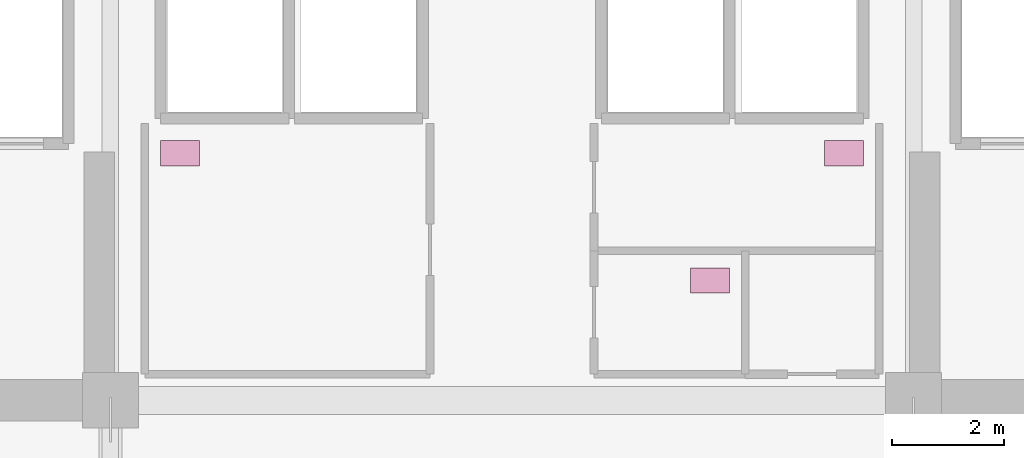
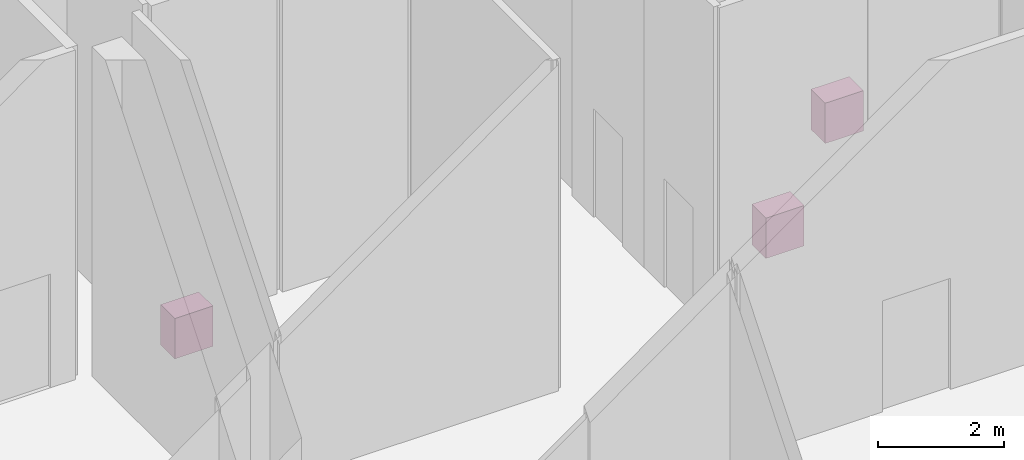
# One storey, part 13 of 13: 3 furnishings.
"""IFC4 building model written with IfcOpenShell, lengths in metres."""

from ifc_helpers import new_model, si_unit, direction, frame, origin, origin_2d, place, context, subcontext, project, spatial, rectangle, extrude, source, transform, mapped, material, type_object, element, save


model = new_model("IFC4")

# Units and contexts
model_context = context("Model", 3, precision=1e-05, world=origin(), true_north=direction((0.0, 1.0)))
body_context = subcontext(model_context, "Body", "Model", "MODEL_VIEW")
ifc_project = project(units=[si_unit("LENGTHUNIT", "METRE"), si_unit("AREAUNIT", "SQUARE_METRE"), si_unit("VOLUMEUNIT", "CUBIC_METRE"), si_unit("PLANEANGLEUNIT", "RADIAN"), si_unit("MASSUNIT", "GRAM", prefix="KILO")], contexts=[model_context])

# Site, building, storey
site_placement = place(None, origin())
site = spatial("IfcSite", under=ifc_project, at=site_placement, CompositionType="ELEMENT")
building_placement = place(site_placement, origin())
building = spatial("IfcBuilding", under=site, at=building_placement, Name="Zarnakvel Exchange Tower", CompositionType="ELEMENT")
storey_placement = place(building_placement, frame((0.0, 0.0, 139.60009765625)))
storey = spatial("IfcBuildingStorey", under=building, at=storey_placement, Name="L39", CompositionType="ELEMENT", Elevation=139.60009765625)

# Furnishings
ifc_material = material(Name="Vitreous China Sanitaryware", Category="ceramic")
furnishing_element_type = type_object("IfcFurnishingElementType", Name="SAN-WC", material=ifc_material)
shared_shape = source(origin(), body_context, "Body", "SweptSolid", [
    extrude(rectangle(XDim=0.699951171875, YDim=0.449951171875, at=origin_2d()), origin(), (0.0, 0.0, 1.0), 0.780029296875),
])
for number, where, z_axis, x_axis, name in (
    (1, (-5.949951171875, 3.22998046875, 0.0), (0.0, 0.0, 1.0), (1.0, 0.0, 0.0), "L39 Sanitary Fixture (Male Toilet)"),
    (2, (5.949951171875, 3.22998046875, 0.0), (0.0, 0.0, 1.0), (1.0, 0.0, 0.0), "L39 Sanitary Fixture (Female Toilet)"),
    (3, (3.550048828125, 0.949951171875, 0.0), (0.0, 0.0, 1.0), (1.0, 0.0, 0.0), "L39 Sanitary Fixture (Accessible Toilet)"),
):
    element("IfcFurnishingElement", number, at=place(storey_placement, frame(where, z_axis=z_axis, x_axis=x_axis)), inside=storey, type_object=furnishing_element_type, Name=name, ObjectType="SANITARY_FIXTURE", context=body_context, shape_type="MappedRepresentation", body=[
        mapped(shared_shape, transform((0.0, 0.0, 0.0), x_axis=(1.0, 0.0, 0.0), y_axis=(0.0, 1.0, 0.0), z_axis=(0.0, 0.0, 1.0), scale=1.0)),
    ])

save(model, "model.ifc")
